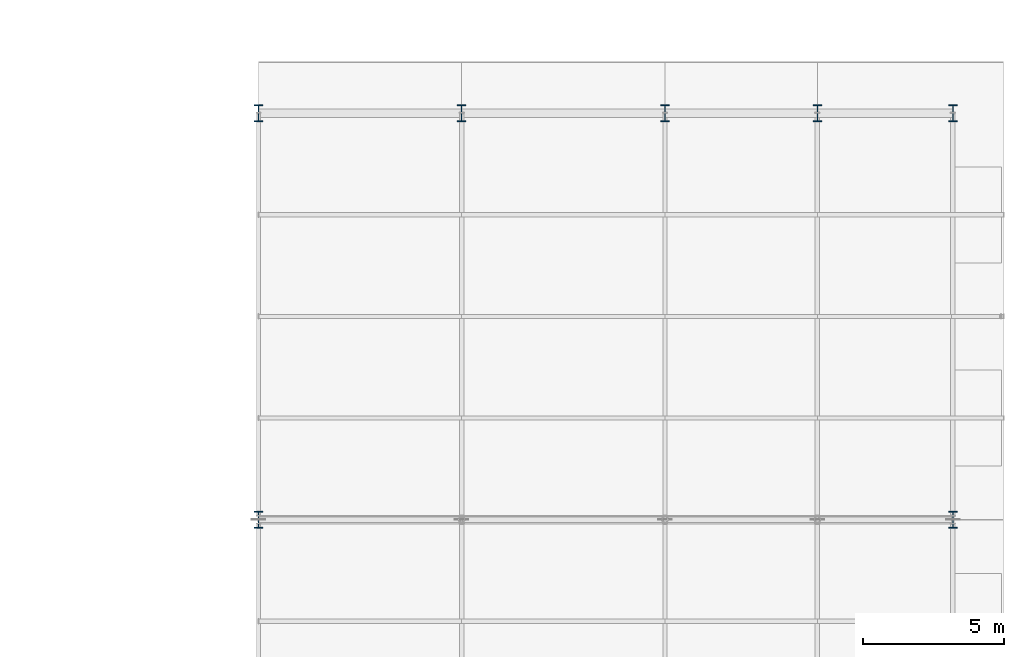
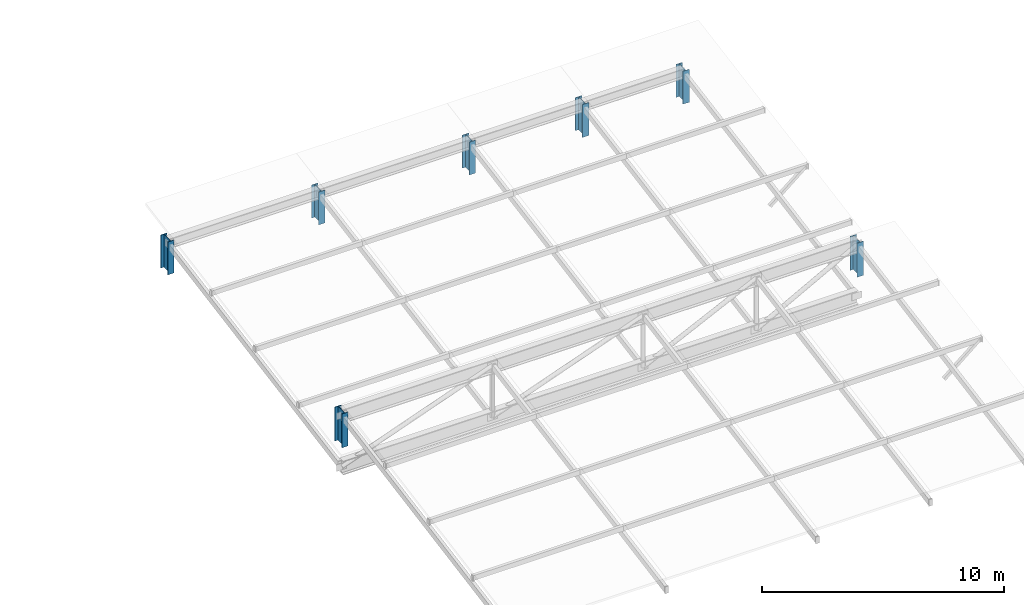
# One storey, part 1 of 63: 7 columns.
"""IFC4 building model written with IfcOpenShell, lengths in metres."""

from ifc_helpers import new_model, si_unit, direction, frame, origin, origin_2d, place, context, subcontext, project, spatial, i_section, extrude, material, material_profile, profile_set, type_object, element, save


model = new_model("IFC4")

# Units and contexts
model_context = context("Model", 3, precision=1e-05, world=origin(), true_north=direction((0.0, 1.0)))
body_context = subcontext(model_context, "Body", "Model", "MODEL_VIEW")
ifc_project = project(units=[si_unit("LENGTHUNIT", "METRE"), si_unit("AREAUNIT", "SQUARE_METRE"), si_unit("VOLUMEUNIT", "CUBIC_METRE"), si_unit("PLANEANGLEUNIT", "RADIAN"), si_unit("MASSUNIT", "GRAM", prefix="KILO")], contexts=[model_context])

# Site, building, storey
site_placement = place(None, origin())
site = spatial("IfcSite", under=ifc_project, at=site_placement, CompositionType="ELEMENT")
building_placement = place(site_placement, origin())
building = spatial("IfcBuilding", under=site, at=building_placement, Name="Solvadek Multi-Sports Hall", CompositionType="ELEMENT")
storey_placement = place(building_placement, frame((0.0, 0.0, 19.199951171875)))
storey = spatial("IfcBuildingStorey", under=building, at=storey_placement, Name="RF", CompositionType="ELEMENT", Elevation=19.199951171875)

# Columns
ifc_material = material(Name="Steel E350 (350 MPa)", Category="steel")
ifc_material_profile = material_profile(ifc_material, i_section(OverallWidth=0.300048828125, OverallDepth=0.60009765625, WebThickness=0.015380859375, FlangeThickness=0.030029296875, at=origin_2d()), Name="WPB 600")
ifc_profile_set = profile_set([ifc_material_profile], Name="Steel E350 (350 MPa)")
column_type = type_object("IfcColumnType", Name="STR-COL-WPB600", PredefinedType="COLUMN", material=ifc_profile_set)
for number, where, z_axis, x_axis, name in (
    (1, (136.800048828125, 70.800048828125, 0.0), (0.0, 0.0, 1.0), (1.0, 0.0, 0.0), "V2 North Ridge Column Extension #1"),
    (2, (144.0, 70.800048828125, 0.0), (0.0, 0.0, 1.0), (1.0, 0.0, 0.0), "V2 North Ridge Column Extension #2"),
    (3, (151.199951171875, 70.800048828125, 0.0), (0.0, 0.0, 1.0), (1.0, 0.0, 0.0), "V2 North Ridge Column Extension #3"),
    (4, (156.60009765625, 70.800048828125, 0.0), (0.0, 0.0, 1.0), (1.0, 0.0, 0.0), "V2 North Ridge Column Extension #4"),
    (5, (161.39990234375, 70.800048828125, 0.0), (0.0, 0.0, 1.0), (1.0, 0.0, 0.0), "V2 North Ridge Column Extension #5"),
):
    element("IfcColumn", number, at=place(storey_placement, frame(where, z_axis=z_axis, x_axis=x_axis)), inside=storey, type_object=column_type, Name=name, PredefinedType="COLUMN", context=body_context, shape_type="SweptSolid", body=[
        extrude(i_section(OverallWidth=0.300048828125, OverallDepth=0.60009765625, WebThickness=0.015380859375, FlangeThickness=0.030029296875, at=origin_2d()), origin(), (0.0, 0.0, 1.0), 1.658203125),
    ])
for number, where, z_axis, x_axis, name in (
    (6, (136.800048828125, 56.39990234375, 0.0), (0.0, 0.0, 1.0), (1.0, 0.0, 0.0), "V2 Clerestory Ridge Column Extension #1"),
    (7, (161.39990234375, 56.39990234375, 0.0), (0.0, 0.0, 1.0), (1.0, 0.0, 0.0), "V2 Clerestory Ridge Column Extension #2"),
):
    element("IfcColumn", number, at=place(storey_placement, frame(where, z_axis=z_axis, x_axis=x_axis)), inside=storey, type_object=column_type, Name=name, PredefinedType="COLUMN", context=body_context, shape_type="SweptSolid", body=[
        extrude(i_section(OverallWidth=0.300048828125, OverallDepth=0.60009765625, WebThickness=0.015380859375, FlangeThickness=0.030029296875, at=origin_2d()), origin(), (0.0, 0.0, 1.0), 1.71044921875),
    ])

save(model, "model.ifc")
